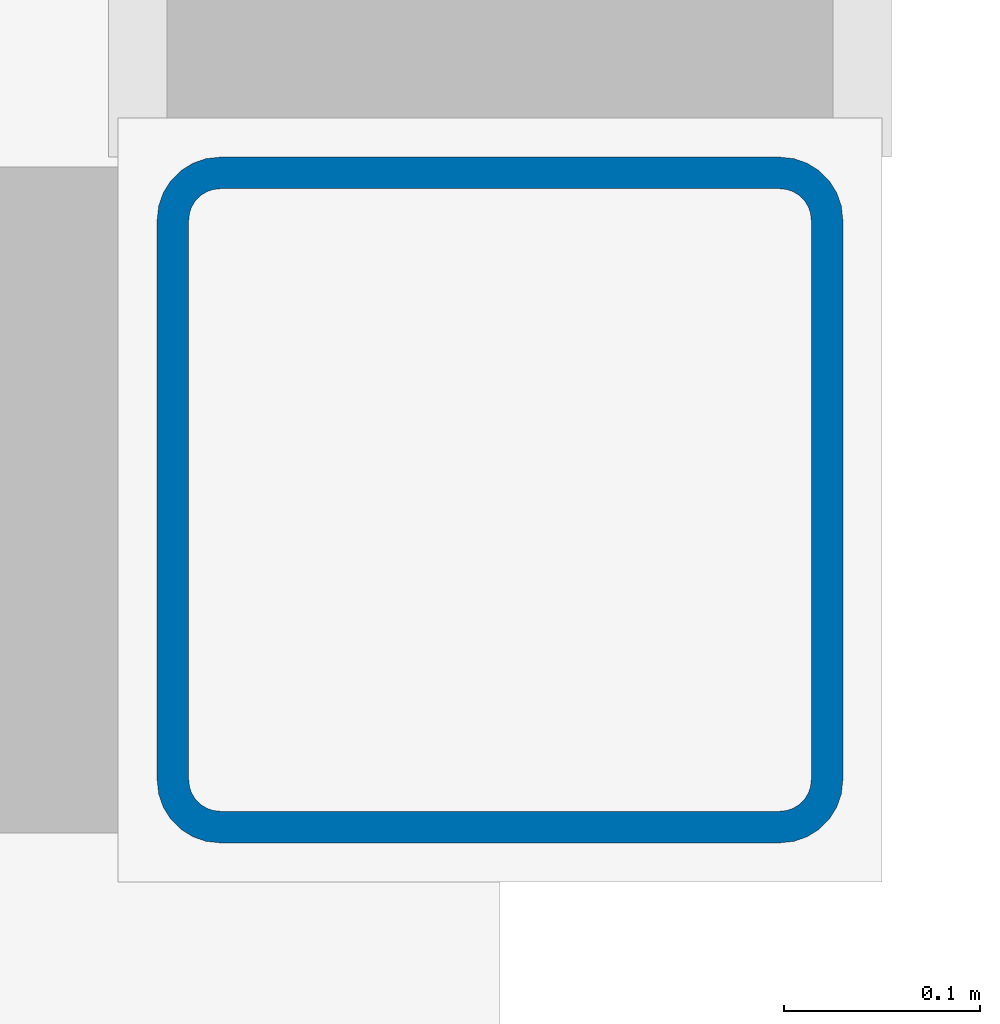
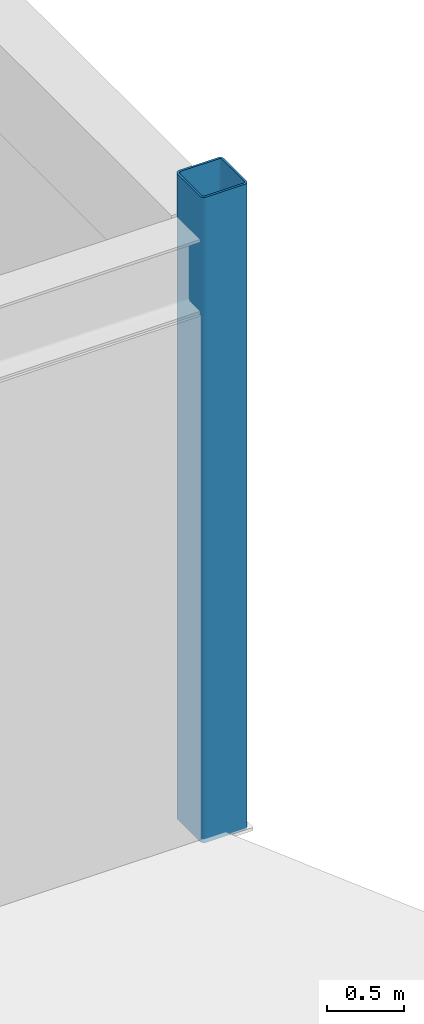
# One storey, part 18 of 128: 1 column.
"""IFC4 building model written with IfcOpenShell, lengths in metres."""

from ifc_helpers import new_model, si_unit, direction, frame, origin, origin_2d, place, context, subcontext, project, spatial, hollow_rectangle, extrude, material, material_profile, profile_set, type_object, element, save


model = new_model("IFC4")

# Units and contexts
model_context = context("Model", 3, precision=1e-05, world=origin(), true_north=direction((0.0, 1.0)))
body_context = subcontext(model_context, "Body", "Model", "MODEL_VIEW")
ifc_project = project(units=[si_unit("LENGTHUNIT", "METRE"), si_unit("AREAUNIT", "SQUARE_METRE"), si_unit("VOLUMEUNIT", "CUBIC_METRE"), si_unit("PLANEANGLEUNIT", "RADIAN"), si_unit("MASSUNIT", "GRAM", prefix="KILO")], contexts=[model_context])

# Site, building, storey
site_placement = place(None, origin())
site = spatial("IfcSite", under=ifc_project, at=site_placement, CompositionType="ELEMENT")
building_placement = place(site_placement, origin())
building = spatial("IfcBuilding", under=site, at=building_placement, Name="Kazenohara Klinker Stadium", CompositionType="ELEMENT")
storey_placement = place(building_placement, frame((0.0, 0.0, 15.300048828125)))
storey = spatial("IfcBuildingStorey", under=building, at=storey_placement, Name="L03", CompositionType="ELEMENT", Elevation=15.300048828125)

# Column
ifc_material = material(Name="Steel S355", Category="steel")
ifc_material_profile = material_profile(ifc_material, hollow_rectangle(XDim=0.35009765625, YDim=0.35009765625, WallThickness=0.01611328125, InnerFilletRadius=0.01611328125, OuterFilletRadius=0.031982421875, at=origin_2d()), Name="SHS-350x350x16")
ifc_profile_set = profile_set([ifc_material_profile], Name="Steel S355")
column_type = type_object("IfcColumnType", Name="COL-ST02", PredefinedType="COLUMN", material=ifc_profile_set)
column_placement = place(storey_placement, frame((200.0, 132.0, 0.0), z_axis=(0.0, 0.0, 1.0), x_axis=(1.0, 0.0, 0.0)))
element("IfcColumn", 1, at=column_placement, inside=storey, type_object=column_type, Name="Column SC02 L03 17/M", PredefinedType="COLUMN", context=body_context, shape_type="SweptSolid", body=[
    extrude(hollow_rectangle(XDim=0.35009765625, YDim=0.35009765625, WallThickness=0.01611328125, InnerFilletRadius=0.01611328125, OuterFilletRadius=0.031982421875, at=origin_2d()), origin(), (0.0, 0.0, 1.0), 5.099853515625),
])

save(model, "model.ifc")
